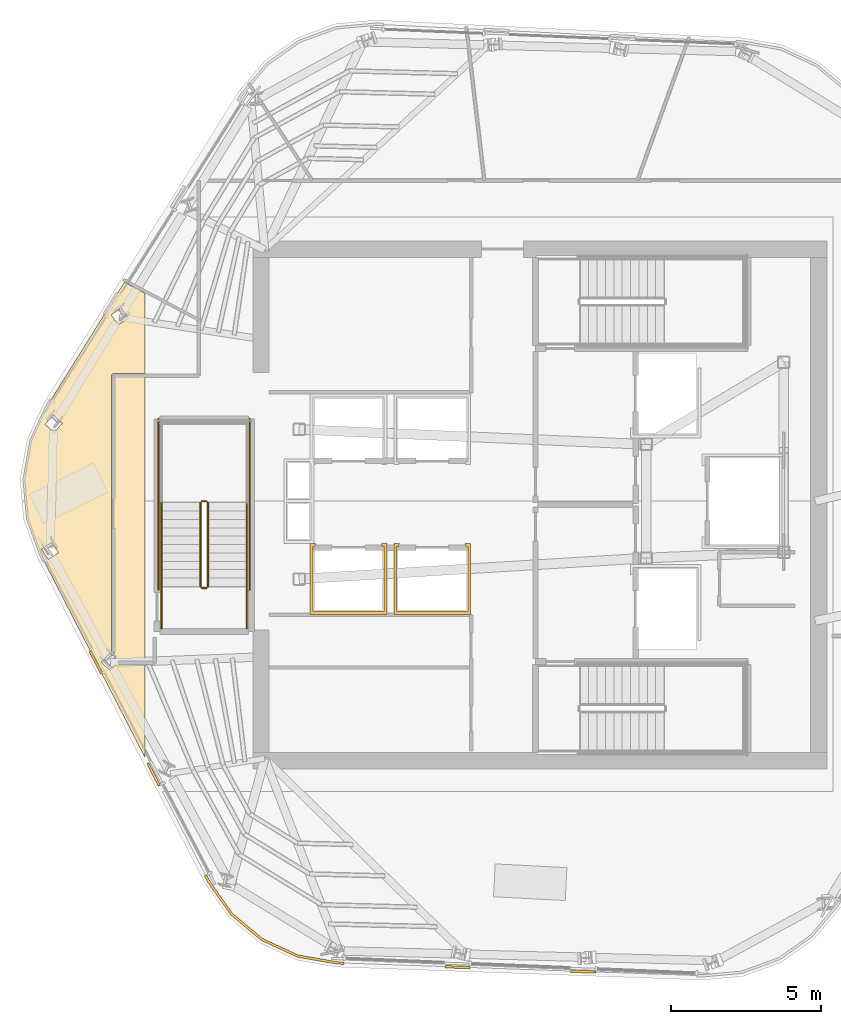
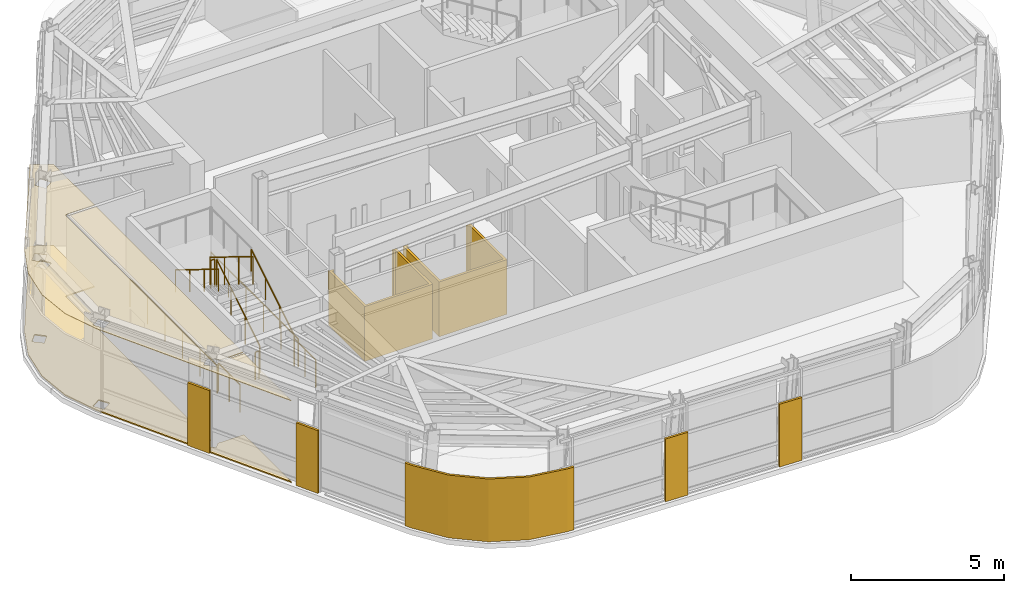
# One storey, part 9 of 13: 10 coverings, 10 railings.
"""IFC4 building model written with IfcOpenShell, lengths in metres."""

import ifcopenshell
import ifcopenshell.guid

model = None  # the IFC model being written
_history = None  # IfcOwnerHistory: only IFC2X3 demands one
_inside = {}  # id of a spatial element -> (the spatial element, [elements in it])
_under = {}  # id of a project, library or spatial element -> (it, [spatial elements below it])
_declared = {}  # id of a project -> (the project, [libraries it declares])
_typed = {}  # id of a type object -> (the type object, [elements of that type])
_made_of = {}  # id of a material, layer set ... -> (it, [elements and type objects made of it])


def new_model(schema):
    """Start an empty IFC model of exactly this schema.

    Asked for "IFC4X3", IfcOpenShell would pick the latest addendum, in which some entities
    have other attributes; the version numbers below select the first issue.
    IFC2X3 requires an IfcOwnerHistory on every rooted entity: one is made here for all.
    """
    global model, _history
    if schema == "IFC4X3":
        model = ifcopenshell.file(schema_version=(4, 3, 0, 0))
    else:
        model = ifcopenshell.file(schema=schema)
    _inside.clear()
    _under.clear()
    _declared.clear()
    _typed.clear()
    _made_of.clear()
    _history = None
    if model.schema == "IFC2X3":
        org = make("IfcOrganization", Name="unknown")
        user = make(
            "IfcPersonAndOrganization",
            ThePerson=make("IfcPerson", FamilyName="unknown"),
            TheOrganization=org,
        )
        app = make(
            "IfcApplication",
            ApplicationDeveloper=org,
            Version="unknown",
            ApplicationFullName="unknown",
            ApplicationIdentifier="unknown",
        )
        _history = make(
            "IfcOwnerHistory",
            OwningUser=user,
            OwningApplication=app,
            ChangeAction="ADDED",
            CreationDate=0,
        )
    return model


def make(cls, **values):
    """One entity of the class cls with the attributes given. An attribute that is None is left unset."""
    return model.create_entity(
        cls, **{name: value for name, value in values.items() if value is not None}
    )


def rooted(cls, **values):
    """An entity with a GlobalId (a new one), such as an element, a storey or a relation."""
    return make(cls, GlobalId=ifcopenshell.guid.new(), OwnerHistory=_history, **values)


def si_unit(unit_type, name, prefix=None):
    """IfcSIUnit, for example si_unit("LENGTHUNIT", "METRE", prefix="MILLI")."""
    return make("IfcSIUnit", UnitType=unit_type, Prefix=prefix, Name=name)


def assignment(units):
    """IfcUnitAssignment: the units of a project."""
    return None if units is None else make("IfcUnitAssignment", Units=units)


def point(xyz):
    """IfcCartesianPoint."""
    return None if xyz is None else make("IfcCartesianPoint", Coordinates=xyz)


def direction(xyz):
    """IfcDirection."""
    return None if xyz is None else make("IfcDirection", DirectionRatios=xyz)


def frame(location, z_axis=None, x_axis=None):
    """IfcAxis2Placement3D, a coordinate frame: its origin and axes. An axis left out is left unset."""
    return make(
        "IfcAxis2Placement3D",
        Location=point(location),
        Axis=direction(z_axis),
        RefDirection=direction(x_axis),
    )


def frame_2d(location, x_axis=None):
    """IfcAxis2Placement2D, a coordinate frame in the plane: its origin and x axis."""
    return make(
        "IfcAxis2Placement2D", Location=point(location), RefDirection=direction(x_axis)
    )


def origin():
    """The frame at (0, 0, 0) with its axes left unset."""
    return frame((0.0, 0.0, 0.0))


def origin_2d():
    """The frame at (0, 0) in the plane with its x axis left unset."""
    return frame_2d((0.0, 0.0))


def place(relative_to, where):
    """IfcLocalPlacement: puts the frame where relative to a parent placement (None: the world)."""
    return make(
        "IfcLocalPlacement", PlacementRelTo=relative_to, RelativePlacement=where
    )


def context(
    kind, dimensions, precision=None, world=None, true_north=None, identifier=None
):
    """IfcGeometricRepresentationContext, for example the 3D "Model" context."""
    return make(
        "IfcGeometricRepresentationContext",
        ContextIdentifier=identifier,
        ContextType=kind,
        CoordinateSpaceDimension=dimensions,
        Precision=precision,
        WorldCoordinateSystem=world,
        TrueNorth=true_north,
    )


def subcontext(parent, identifier, kind, view, scale=None):
    """IfcGeometricRepresentationSubContext, for example "Body" below "Model"."""
    return make(
        "IfcGeometricRepresentationSubContext",
        ContextIdentifier=identifier,
        ContextType=kind,
        ParentContext=parent,
        TargetScale=scale,
        TargetView=view,
    )


def project(units=None, contexts=None):
    """IfcProject with its units and contexts."""
    return rooted(
        "IfcProject",
        Name="project",
        RepresentationContexts=contexts,
        UnitsInContext=assignment(units),
    )


def spatial(cls, under=None, at=None, **own):
    """A site, building, storey or space (cls), placed at a placement, below another one or the project."""
    s = rooted(cls, ObjectPlacement=at, **own)
    if under is not None:
        _under.setdefault(under.id(), (under, []))[1].append(s)
    return s


def polyline(points):
    """IfcPolyline through the points."""
    return make("IfcPolyline", Points=[point(p) for p in points])


def profile(cls, at=None, kind="AREA", **sizes):
    """A parametric profile (cls). Its sizes go by their IFC names, for example OverallWidth=200.0."""
    return make(cls, ProfileType=kind, Position=at, **sizes)


def circle(**sizes):
    """IfcCircleProfileDef."""
    return profile("IfcCircleProfileDef", **sizes)


def outline(outer, holes=None, kind="AREA"):
    """IfcArbitraryClosedProfileDef: a profile drawn as a closed curve; with holes, ...WithVoids."""
    if holes is None:
        return make("IfcArbitraryClosedProfileDef", ProfileType=kind, OuterCurve=outer)
    return make(
        "IfcArbitraryProfileDefWithVoids",
        ProfileType=kind,
        OuterCurve=outer,
        InnerCurves=holes,
    )


def extrude(swept, where, along, depth):
    """IfcExtrudedAreaSolid: the profile swept, set in the frame where, extruded along a direction by depth."""
    return make(
        "IfcExtrudedAreaSolid",
        SweptArea=swept,
        Position=where,
        ExtrudedDirection=direction(along),
        Depth=depth,
    )


def shape(context_of_items, identifier, shape_type, items):
    """IfcShapeRepresentation: the items that make up one representation, for example the "Body"."""
    return make(
        "IfcShapeRepresentation",
        ContextOfItems=context_of_items,
        RepresentationIdentifier=identifier,
        RepresentationType=shape_type,
        Items=items,
    )


def material(Name=None, Category=None):
    """IfcMaterial."""
    return make("IfcMaterial", Name=Name, Category=Category)


def layer(
    of_material, thickness, ventilated=None, Name=None, Category=None, Priority=None
):
    """IfcMaterialLayer: one layer of a wall or slab, of a material (None: an air gap)."""
    return make(
        "IfcMaterialLayer",
        Material=of_material,
        LayerThickness=thickness,
        IsVentilated=ventilated,
        Name=Name,
        Category=Category,
        Priority=Priority,
    )


def layer_set(layers, Name=None):
    """IfcMaterialLayerSet."""
    return make("IfcMaterialLayerSet", MaterialLayers=layers, LayerSetName=Name)


def made_of(thing, what):
    """Note that an element or type object is made of a material, layer set ...; save() writes the relation."""
    if what is not None:
        _made_of.setdefault(what.id(), (what, []))[1].append(thing)
    return thing


def type_object(cls, material=None, **own):
    """A type object (cls), such as IfcWallType, which elements share."""
    return made_of(rooted(cls, **own), material)


def element(
    cls,
    number,
    at=None,
    inside=None,
    cuts=None,
    type_object=None,
    material=None,
    context=None,
    identifier="Body",
    shape_type=None,
    held_by="IfcProductDefinitionShape",
    body=None,
    shapes=None,
    **own,
):
    """One element of the class cls, such as IfcWall. Its Tag is "e" and its number.

    at: its placement. inside: the storey or other place that contains it. cuts: it is an
    opening in that element (IfcRelVoidsElement). A single representation is given by context,
    identifier, shape_type and body (its items); several are given by shapes. held_by: the class
    of the entity that holds the representations. save() writes the other relations.
    """
    e = rooted(cls, Tag="e%d" % number, ObjectPlacement=at, **own)
    if body is not None:
        shapes = [shape(context, identifier, shape_type, body)]
    if shapes is not None:
        e.Representation = make(held_by, Representations=shapes)
    if inside is not None:
        _inside.setdefault(inside.id(), (inside, []))[1].append(e)
    if cuts is not None:
        rooted(
            "IfcRelVoidsElement", RelatingBuildingElement=cuts, RelatedOpeningElement=e
        )
    if type_object is not None:
        _typed.setdefault(type_object.id(), (type_object, []))[1].append(e)
    return made_of(e, material)


def aggregate(whole, parts):
    """IfcRelAggregates: a whole, such as a stair, and the parts it consists of."""
    return rooted("IfcRelAggregates", RelatingObject=whole, RelatedObjects=parts)


def save(model, path):
    """Write the relations noted so far, then the file.

    IfcRelAggregates (storeys below a building ...), IfcRelContainedInSpatialStructure (elements
    in a storey), IfcRelDefinesByType, IfcRelAssociatesMaterial and IfcRelDeclares: one each for
    every whole, place, type object, material and project.
    """
    for whole, parts in _under.values():
        aggregate(whole, parts)
    for where, things in _inside.values():
        rooted(
            "IfcRelContainedInSpatialStructure",
            RelatedElements=things,
            RelatingStructure=where,
        )
    for kind, things in _typed.values():
        rooted("IfcRelDefinesByType", RelatedObjects=things, RelatingType=kind)
    for what, things in _made_of.values():
        rooted("IfcRelAssociatesMaterial", RelatedObjects=things, RelatingMaterial=what)
    for by, libraries in _declared.values():
        rooted("IfcRelDeclares", RelatingContext=by, RelatedDefinitions=libraries)
    model.write(path)


model = new_model("IFC4")

# Units and contexts
model_context = context("Model", 3, precision=1e-05, world=origin(), true_north=direction((0.0, 1.0)))
body_context = subcontext(model_context, "Body", "Model", "MODEL_VIEW")
ifc_project = project(units=[si_unit("LENGTHUNIT", "METRE"), si_unit("AREAUNIT", "SQUARE_METRE"), si_unit("VOLUMEUNIT", "CUBIC_METRE"), si_unit("PLANEANGLEUNIT", "RADIAN"), si_unit("MASSUNIT", "GRAM", prefix="KILO")], contexts=[model_context])

# Site, building, storey
site_placement = place(None, origin())
site = spatial("IfcSite", under=ifc_project, at=site_placement, CompositionType="ELEMENT")
building_placement = place(site_placement, origin())
building = spatial("IfcBuilding", under=site, at=building_placement, Name="Valkerne Bourse Tower", CompositionType="ELEMENT")
storey_placement = place(building_placement, frame((0.0, 0.0, 273.60009765625)))
storey = spatial("IfcBuildingStorey", under=building, at=storey_placement, Name="L69", CompositionType="ELEMENT", Elevation=273.60009765625)

# Coverings
ifc_material_1 = material(Name="Mineral Fiber Acoustic Ceiling Tile", Category="acoustic")
ifc_layer_1 = layer(ifc_material_1, 0.02490234375)
ifc_layer_set_1 = layer_set([ifc_layer_1], Name="Mineral Fiber Acoustic Ceiling Tile")
covering_type_1 = type_object("IfcCoveringType", Name="COV-CEIL-ACT", PredefinedType="CEILING", material=ifc_layer_set_1)
covering_1_placement = place(storey_placement, frame((0.0, 0.0, 3.25)))
element("IfcCovering", 1, at=covering_1_placement, inside=storey, type_object=covering_type_1, Name="L69 Suspended Ceiling 07", PredefinedType="CEILING", context=body_context, shape_type="SweptSolid", body=[
    extrude(outline(polyline([(30.13916015625, 25.159423828125), (29.68212890625, 26.408203125), (29.564697265625, 27.722412109375), (29.791748046875, 29.022216796875), (30.351318359375, 30.228271484375), (32.90966796875, 34.31884765625), (33.60009765625, 33.95166015625), (33.60009765625, 31.26904296875), (32.54931640625, 31.26904296875), (32.50927734375, 31.255859375), (32.484619140625, 31.222900390625), (32.48291015625, 21.896484375), (32.52392578125, 21.817138671875), (32.41162109375, 21.9189453125), (32.137939453125, 21.617919921875), (32.138916015625, 21.615966796875), (32.441650390625, 21.341552734375), (32.633056640625, 21.55224609375), (32.63916015625, 21.544921875), (32.66357421875, 21.533203125), (33.60009765625, 21.531982421875), (33.60009765625, 18.431396484375), (30.13916015625, 25.159423828125)]), holes=[polyline([(30.706787109375, 25.277099609375), (30.483642578125, 25.619140625), (30.142578125, 25.397705078125), (30.142822265625, 25.395263671875), (30.3662109375, 25.052978515625), (30.707275390625, 25.274658203125), (30.706787109375, 25.277099609375)]), polyline([(30.833984375, 29.608154296875), (30.530517578125, 29.878662109375), (30.2578125, 29.57421875), (30.257568359375, 29.57177734375), (30.56103515625, 29.30126953125), (30.83349609375, 29.605712890625), (30.833984375, 29.608154296875)]), polyline([(33.03759765625, 33.120849609375), (32.812744140625, 33.459716796875), (32.471923828125, 33.23388671875), (32.470947265625, 33.23193359375), (32.69580078125, 32.893310546875), (33.036865234375, 33.118896484375), (33.03759765625, 33.120849609375)])]), origin(), (0.0, 0.0, 1.0), 0.02490234375),
])
ifc_material_2 = material(Name="Bronze Anodised Aluminium AA 6063-T6", Category="aluminium")
ifc_layer_2 = layer(ifc_material_2, 0.030029296875)
ifc_layer_set_2 = layer_set([ifc_layer_2], Name="Bronze Anodised Aluminium AA 6063-T6")
covering_type_2 = type_object("IfcCoveringType", Name="COV-CEIL-METAL", PredefinedType="CEILING", material=ifc_layer_set_2)
covering_2_placement = place(storey_placement, frame((0.0, 0.0, 3.25)))
element("IfcCovering", 2, at=covering_2_placement, inside=storey, type_object=covering_type_2, Name="L69 Suspended Ceiling 02", PredefinedType="CEILING", context=body_context, shape_type="SweptSolid", body=[
    extrude(outline(polyline([(32.68017578125, 21.60400390625), (32.715087890625, 21.642333984375), (32.71435546875, 21.64453125), (32.553955078125, 21.789794921875), (32.553955078125, 31.196044921875), (33.60009765625, 31.196044921875), (33.60009765625, 21.60400390625), (32.68017578125, 21.60400390625)])), origin(), (0.0, 0.0, 1.0), 0.02490234375),
])
ifc_layer_3 = layer(ifc_material_2, 0.06005859375)
ifc_layer_set_3 = layer_set([ifc_layer_3], Name="Bronze Anodised Aluminium AA 6063-T6")
covering_type_3 = type_object("IfcCoveringType", Name="COV-CRN-ALUM", PredefinedType="CLADDING", material=ifc_layer_set_3)
covering_3_placement = place(storey_placement, origin())
element("IfcCovering", 3, at=covering_3_placement, inside=storey, type_object=covering_type_3, Name="L69 Wind-Shaped Corner Aluminium Cladding 05", PredefinedType="CLADDING", context=body_context, shape_type="SweptSolid", body=[
    extrude(outline(polyline([(47.827392578125, 11.25244140625), (47.830810546875, 11.332275390625), (48.67041015625, 11.302734375), (48.6669921875, 11.22265625), (47.827392578125, 11.25244140625)])), origin(), (0.0, 0.0, 1.0), 2.5),
])
covering_4_placement = place(storey_placement, origin())
element("IfcCovering", 4, at=covering_4_placement, inside=storey, type_object=covering_type_3, Name="L69 Wind-Shaped Corner Aluminium Cladding 06", PredefinedType="CLADDING", context=body_context, shape_type="SweptSolid", body=[
    extrude(outline(polyline([(43.617919921875, 11.40087890625), (43.621337890625, 11.48095703125), (44.460693359375, 11.451416015625), (44.45751953125, 11.371337890625), (43.617919921875, 11.40087890625)])), origin(), (0.0, 0.0, 1.0), 2.5),
])
covering_5_placement = place(storey_placement, origin())
element("IfcCovering", 5, at=covering_5_placement, inside=storey, type_object=covering_type_3, Name="L69 Wind-Shaped Corner Aluminium Cladding 07", PredefinedType="CLADDING", context=body_context, shape_type="SweptSolid", body=[
    extrude(outline(polyline([(40.0078125, 11.5283203125), (38.6904296875, 11.75830078125), (37.48291015625, 12.31884765625), (36.4619140625, 13.172607421875), (35.69287109375, 14.266845703125), (35.5830078125, 14.48046875), (35.65380859375, 14.517578125), (35.761474609375, 14.308349609375), (36.521240234375, 13.227294921875), (37.5263671875, 12.386962890625), (38.714599609375, 11.835205078125), (40.01611328125, 11.608154296875), (40.25146484375, 11.599853515625), (40.248046875, 11.52001953125), (40.0078125, 11.5283203125)])), origin(), (0.0, 0.0, 1.0), 2.5),
])
covering_6_placement = place(storey_placement, origin())
element("IfcCovering", 6, at=covering_6_placement, inside=storey, type_object=covering_type_3, Name="L69 Wind-Shaped Corner Aluminium Cladding 08", PredefinedType="CLADDING", context=body_context, shape_type="SweptSolid", body=[
    extrude(outline(polyline([(33.65625, 18.22607421875), (33.72705078125, 18.26318359375), (34.111328125, 17.51611328125), (34.040283203125, 17.47900390625), (33.65625, 18.22607421875)])), origin(), (0.0, 0.0, 1.0), 2.5),
])
covering_7_placement = place(storey_placement, origin())
element("IfcCovering", 7, at=covering_7_placement, inside=storey, type_object=covering_type_3, Name="L69 Wind-Shaped Corner Aluminium Cladding 09", PredefinedType="CLADDING", context=body_context, shape_type="SweptSolid", body=[
    extrude(outline(polyline([(31.7294921875, 21.9716796875), (31.80029296875, 22.0087890625), (32.1845703125, 21.26171875), (32.11376953125, 21.224609375), (31.7294921875, 21.9716796875)])), origin(), (0.0, 0.0, 1.0), 2.5),
])
ifc_material_3 = material(Name="Galvanised Painted Steel", Category="steel")
ifc_layer_4 = layer(ifc_material_3, 0.044921875)
ifc_layer_set_4 = layer_set([ifc_layer_4], Name="Galvanised Painted Steel")
covering_type_4 = type_object("IfcCoveringType", Name="COV-FLR-RAF", PredefinedType="FLOORING", material=ifc_layer_set_4)
covering_8_placement = place(storey_placement, origin())
element("IfcCovering", 8, at=covering_8_placement, inside=storey, type_object=covering_type_4, Name="L69 Floor Finish 07", PredefinedType="FLOORING", context=body_context, shape_type="SweptSolid", body=[
    extrude(outline(polyline([(30.13916015625, 25.159423828125), (29.68212890625, 26.408203125), (29.564697265625, 27.722412109375), (29.791748046875, 29.022216796875), (30.351318359375, 30.228271484375), (32.90966796875, 34.31884765625), (33.60009765625, 33.95166015625), (33.60009765625, 31.26904296875), (32.54931640625, 31.26904296875), (32.50927734375, 31.255859375), (32.484619140625, 31.222900390625), (32.48291015625, 21.896484375), (32.52392578125, 21.817138671875), (32.41162109375, 21.9189453125), (32.137939453125, 21.617919921875), (32.138916015625, 21.615966796875), (32.441650390625, 21.341552734375), (32.633056640625, 21.55224609375), (32.63916015625, 21.544921875), (32.66357421875, 21.533203125), (33.60009765625, 21.531982421875), (33.60009765625, 18.431396484375), (30.13916015625, 25.159423828125)]), holes=[polyline([(30.706787109375, 25.277099609375), (30.483642578125, 25.619140625), (30.142578125, 25.397705078125), (30.142822265625, 25.395263671875), (30.3662109375, 25.052978515625), (30.707275390625, 25.274658203125), (30.706787109375, 25.277099609375)]), polyline([(30.833984375, 29.608154296875), (30.530517578125, 29.878662109375), (30.2578125, 29.57421875), (30.257568359375, 29.57177734375), (30.56103515625, 29.30126953125), (30.83349609375, 29.605712890625), (30.833984375, 29.608154296875)]), polyline([(33.03759765625, 33.120849609375), (32.812744140625, 33.459716796875), (32.471923828125, 33.23388671875), (32.470947265625, 33.23193359375), (32.69580078125, 32.893310546875), (33.036865234375, 33.118896484375), (33.03759765625, 33.120849609375)])]), origin(), (0.0, 0.0, 1.0), 0.044921875),
])
ifc_material_4 = material(Name="Gypsum Shaftwall Liner Board", Category="gypsum")
ifc_layer_5 = layer(ifc_material_4, 0.080078125)
ifc_layer_set_5 = layer_set([ifc_layer_5], Name="Gypsum Shaftwall Liner Board")
covering_type_5 = type_object("IfcCoveringType", Name="COV-SHF-CLAD", PredefinedType="CLADDING", material=ifc_layer_set_5)
covering_9_placement = place(storey_placement, origin())
element("IfcCovering", 9, at=covering_9_placement, inside=storey, type_object=covering_type_5, Name="L69 Hoistway & Riser Shaftwall Liner 02", PredefinedType="CLADDING", context=body_context, shape_type="SweptSolid", body=[
    extrude(outline(polyline([(39.29931640625, 25.580078125), (39.28857421875, 25.537841796875), (39.2822265625, 25.494140625), (39.281982421875, 25.489990234375), (39.2099609375, 25.489990234375), (39.2099609375, 23.31005859375), (41.590087890625, 23.31005859375), (41.590087890625, 25.489990234375), (41.51806640625, 25.489990234375), (41.517822265625, 25.494140625), (41.511474609375, 25.537841796875), (41.500732421875, 25.580078125), (41.679931640625, 25.580078125), (41.679931640625, 23.219970703125), (39.1201171875, 23.219970703125), (39.1201171875, 25.580078125), (39.29931640625, 25.580078125)])), origin(), (0.0, 0.0, 1.0), 2.179931640625),
])
covering_10_placement = place(storey_placement, origin())
element("IfcCovering", 10, at=covering_10_placement, inside=storey, type_object=covering_type_5, Name="L69 Hoistway & Riser Shaftwall Liner 03", PredefinedType="CLADDING", context=body_context, shape_type="SweptSolid", body=[
    extrude(outline(polyline([(42.09912109375, 25.580078125), (42.088623046875, 25.537841796875), (42.082275390625, 25.494140625), (42.08203125, 25.489990234375), (42.010009765625, 25.489990234375), (42.010009765625, 23.31005859375), (44.389892578125, 23.31005859375), (44.389892578125, 25.489990234375), (44.318115234375, 25.489990234375), (44.31787109375, 25.494140625), (44.311279296875, 25.537841796875), (44.30078125, 25.580078125), (44.47998046875, 25.580078125), (44.47998046875, 23.219970703125), (41.919921875, 23.219970703125), (41.919921875, 25.580078125), (42.09912109375, 25.580078125)])), origin(), (0.0, 0.0, 1.0), 2.179931640625),
])

# Railings
railing_type_1 = type_object("IfcRailingType", Name="RLG-ST-GUARD-1120", PredefinedType="GUARDRAIL", material=ifc_material_3)
railing_1_placement = place(storey_placement, frame((35.699951171875, 24.14990234375, 0.172607421875)))
element("IfcRailing", 11, at=railing_1_placement, inside=storey, type_object=railing_type_1, Name="L69 ST-3 stair guard 1", PredefinedType="GUARDRAIL", context=body_context, shape_type="SweptSolid", body=[
    extrude(circle(Radius=0.02392578125, at=origin_2d()), frame((0.0, 0.0, 1.09619140625), z_axis=(0.0, 0.851089632645, 0.525020415988), x_axis=(-1.0, 0.0, 0.0)), (0.0, 0.0, 1.0), 3.2900390625),
    extrude(circle(Radius=0.02099609375, at=origin_2d()), origin(), (0.0, 0.0, 1.0), 1.072021484375),
    extrude(circle(Radius=0.02099609375, at=origin_2d()), frame((0.0, 0.933349609375, 0.57568359375)), (0.0, 0.0, 1.0), 1.072021484375),
    extrude(circle(Radius=0.02099609375, at=origin_2d()), frame((0.0, 1.86669921875, 1.151611328125)), (0.0, 0.0, 1.0), 1.072021484375),
    extrude(circle(Radius=0.02099609375, at=origin_2d()), frame((0.0, 2.800048828125, 1.727294921875)), (0.0, 0.0, 1.0), 1.072021484375),
])
railing_2_placement = place(storey_placement, frame((35.64990234375, 27.0, 1.89990234375)))
element("IfcRailing", 12, at=railing_2_placement, inside=storey, type_object=railing_type_1, Name="L69 ST-3 stair guard 2", PredefinedType="GUARDRAIL", context=body_context, shape_type="SweptSolid", body=[
    extrude(circle(Radius=0.02392578125, at=origin_2d()), frame((0.0, 0.0, 1.09619140625), z_axis=(-1.0, 0.0, 0.0), x_axis=(0.0, -1.0, 0.0)), (0.0, 0.0, 1.0), 0.14990234375),
    extrude(circle(Radius=0.02099609375, at=origin_2d()), origin(), (0.0, 0.0, 1.0), 1.072021484375),
    extrude(circle(Radius=0.02099609375, at=origin_2d()), frame((-0.14990234375, 0.0, 0.0)), (0.0, 0.0, 1.0), 1.072021484375),
])
railing_3_placement = place(storey_placement, frame((35.449951171875, 26.949951171875, 2.072509765625)))
element("IfcRailing", 13, at=railing_3_placement, inside=storey, type_object=railing_type_1, Name="L69 ST-3 stair guard 6", PredefinedType="GUARDRAIL", context=body_context, shape_type="SweptSolid", body=[
    extrude(circle(Radius=0.02392578125, at=origin_2d()), frame((0.0, 0.0, 1.09619140625), z_axis=(0.0, -0.851089632645, 0.525020415988), x_axis=(1.0, 0.0, 0.0)), (0.0, 0.0, 1.0), 3.2900390625),
    extrude(circle(Radius=0.02099609375, at=origin_2d()), origin(), (0.0, 0.0, 1.0), 1.072021484375),
    extrude(circle(Radius=0.02099609375, at=origin_2d()), frame((0.0, -0.933349609375, 0.57568359375)), (0.0, 0.0, 1.0), 1.072021484375),
    extrude(circle(Radius=0.02099609375, at=origin_2d()), frame((0.0, -1.86669921875, 1.151611328125)), (0.0, 0.0, 1.0), 1.072021484375),
    extrude(circle(Radius=0.02099609375, at=origin_2d()), frame((0.0, -2.800048828125, 1.727294921875)), (0.0, 0.0, 1.0), 1.072021484375),
])
railing_4_placement = place(storey_placement, frame((35.64990234375, 24.10009765625, 0.0)))
element("IfcRailing", 14, at=railing_4_placement, inside=storey, type_object=railing_type_1, Name="L69 ST-3 stair guard 7", PredefinedType="GUARDRAIL", context=body_context, shape_type="SweptSolid", body=[
    extrude(circle(Radius=0.02392578125, at=origin_2d()), frame((0.0, 0.0, 1.09619140625), z_axis=(-1.0, 0.0, 0.0), x_axis=(0.0, -1.0, 0.0)), (0.0, 0.0, 1.0), 0.14990234375),
    extrude(circle(Radius=0.02099609375, at=origin_2d()), origin(), (0.0, 0.0, 1.0), 1.072021484375),
    extrude(circle(Radius=0.02099609375, at=origin_2d()), frame((-0.14990234375, 0.0, 0.0)), (0.0, 0.0, 1.0), 1.072021484375),
])
for number, where, name in (
    (15, (37.0, 22.75, 0.0), "L69 ST-3 stair guard 8"),
    (16, (34.14990234375, 22.75, 0.0), "L69 ST-3 stair guard 9"),
):
    element("IfcRailing", number, at=place(storey_placement, frame(where)), inside=storey, type_object=railing_type_1, Name=name, PredefinedType="GUARDRAIL", context=body_context, shape_type="SweptSolid", body=[
        extrude(circle(Radius=0.02392578125, at=origin_2d()), frame((0.0, 0.0, 1.09619140625), z_axis=(0.0, 1.0, 0.0), x_axis=(-1.0, 0.0, 0.0)), (0.0, 0.0, 1.0), 1.39990234375),
        extrude(circle(Radius=0.02099609375, at=origin_2d()), origin(), (0.0, 0.0, 1.0), 1.072021484375),
        extrude(circle(Radius=0.02099609375, at=origin_2d()), frame((0.0, 0.699951171875, 0.0)), (0.0, 0.0, 1.0), 1.072021484375),
        extrude(circle(Radius=0.02099609375, at=origin_2d()), frame((0.0, 1.39990234375, 0.0)), (0.0, 0.0, 1.0), 1.072021484375),
    ])
for number, where, name in (
    (17, (37.10009765625, 24.050048828125, 0.0), "L69 ST-3 stair guard 10"),
    (18, (34.050048828125, 24.050048828125, 0.0), "L69 ST-3 stair guard 11"),
):
    element("IfcRailing", number, at=place(storey_placement, frame(where)), inside=storey, type_object=railing_type_1, Name=name, PredefinedType="GUARDRAIL", context=body_context, shape_type="SweptSolid", body=[
        extrude(circle(Radius=0.02392578125, at=origin_2d()), frame((0.0, 0.0, 1.09619140625), z_axis=(0.0, 1.0, 0.0), x_axis=(-1.0, 0.0, 0.0)), (0.0, 0.0, 1.0), 5.699951171875),
        extrude(circle(Radius=0.02099609375, at=origin_2d()), origin(), (0.0, 0.0, 1.0), 1.072021484375),
        extrude(circle(Radius=0.02099609375, at=origin_2d()), frame((0.0, 1.139892578125, 0.0)), (0.0, 0.0, 1.0), 1.072021484375),
        extrude(circle(Radius=0.02099609375, at=origin_2d()), frame((0.0, 2.280029296875, 0.0)), (0.0, 0.0, 1.0), 1.072021484375),
        extrude(circle(Radius=0.02099609375, at=origin_2d()), frame((0.0, 3.419921875, 0.0)), (0.0, 0.0, 1.0), 1.072021484375),
        extrude(circle(Radius=0.02099609375, at=origin_2d()), frame((0.0, 4.56005859375, 0.0)), (0.0, 0.0, 1.0), 1.072021484375),
        extrude(circle(Radius=0.02099609375, at=origin_2d()), frame((0.0, 5.699951171875, 0.0)), (0.0, 0.0, 1.0), 1.072021484375),
    ])
ifc_material_5 = material(Name="Stainless Steel AISI 316", Category="steel")
railing_type_2 = type_object("IfcRailingType", Name="RLG-ST-HANDRAIL-900", PredefinedType="HANDRAIL", material=ifc_material_5)
railing_5_placement = place(storey_placement, frame((37.0, 24.14990234375, 0.345458984375)))
element("IfcRailing", 19, at=railing_5_placement, inside=storey, type_object=railing_type_2, Name="L69 ST-3 stair handrail 1", PredefinedType="HANDRAIL", context=body_context, shape_type="SweptSolid", body=[
    extrude(circle(Radius=0.02392578125, at=origin_2d()), frame((0.0, 0.0, 0.8759765625), z_axis=(0.0, 0.851122791225, 0.524966660138), x_axis=(-1.0, 0.0, 0.0)), (0.0, 0.0, 1.0), 3.289794921875),
    extrude(circle(Radius=0.02099609375, at=origin_2d()), origin(), (0.0, 0.0, 1.0), 0.851806640625),
    extrude(circle(Radius=0.02099609375, at=origin_2d()), frame((0.0, 0.933349609375, 0.57568359375)), (0.0, 0.0, 1.0), 0.851806640625),
    extrude(circle(Radius=0.02099609375, at=origin_2d()), frame((0.0, 1.86669921875, 1.1513671875)), (0.0, 0.0, 1.0), 0.851806640625),
    extrude(circle(Radius=0.02099609375, at=origin_2d()), frame((0.0, 2.800048828125, 1.72705078125)), (0.0, 0.0, 1.0), 0.851806640625),
])
railing_6_placement = place(storey_placement, frame((34.14990234375, 26.949951171875, 2.245361328125)))
element("IfcRailing", 20, at=railing_6_placement, inside=storey, type_object=railing_type_2, Name="L69 ST-3 stair handrail 2", PredefinedType="HANDRAIL", context=body_context, shape_type="SweptSolid", body=[
    extrude(circle(Radius=0.02392578125, at=origin_2d()), frame((0.0, 0.0, 0.8759765625), z_axis=(0.0, -0.851089632645, 0.525020415988), x_axis=(1.0, 0.0, 0.0)), (0.0, 0.0, 1.0), 3.2900390625),
    extrude(circle(Radius=0.02099609375, at=origin_2d()), origin(), (0.0, 0.0, 1.0), 0.851806640625),
    extrude(circle(Radius=0.02099609375, at=origin_2d()), frame((0.0, -0.933349609375, 0.57568359375)), (0.0, 0.0, 1.0), 0.851806640625),
    extrude(circle(Radius=0.02099609375, at=origin_2d()), frame((0.0, -1.86669921875, 1.151611328125)), (0.0, 0.0, 1.0), 0.851806640625),
    extrude(circle(Radius=0.02099609375, at=origin_2d()), frame((0.0, -2.800048828125, 1.727294921875)), (0.0, 0.0, 1.0), 0.851806640625),
])

save(model, "model.ifc")
